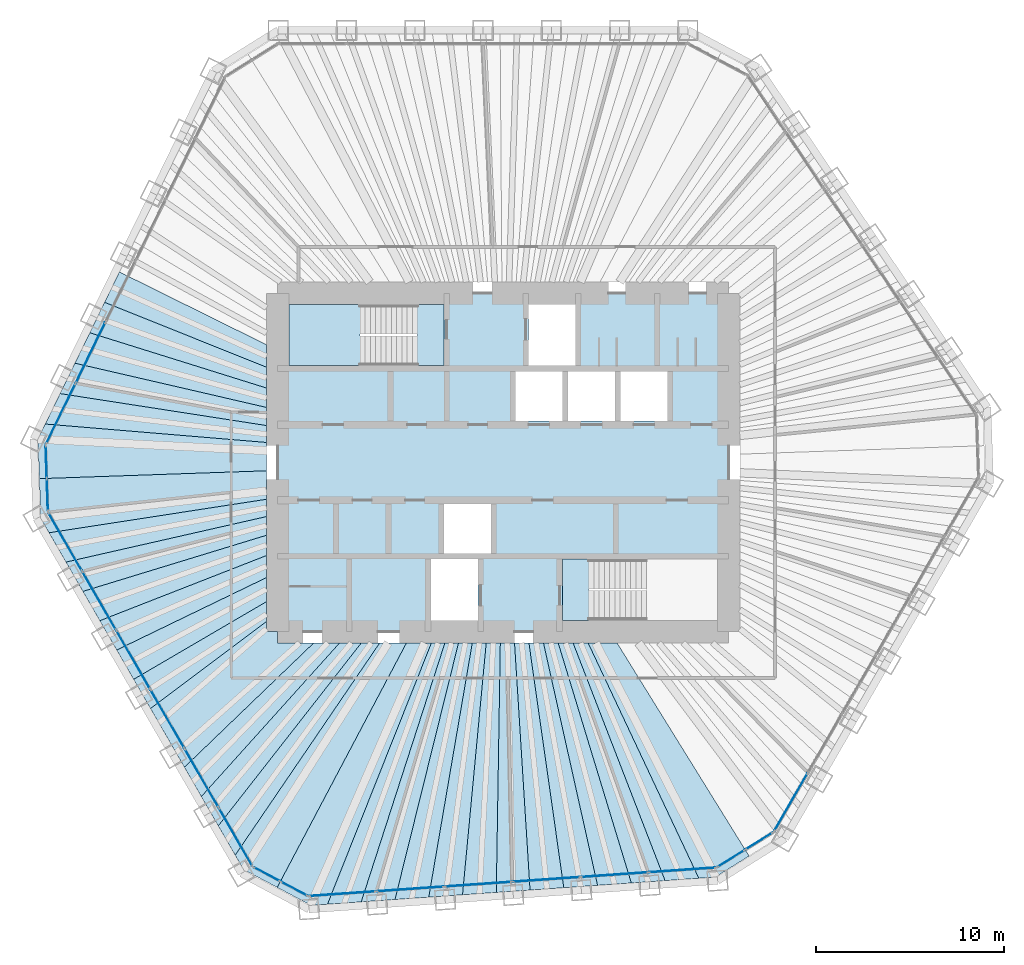
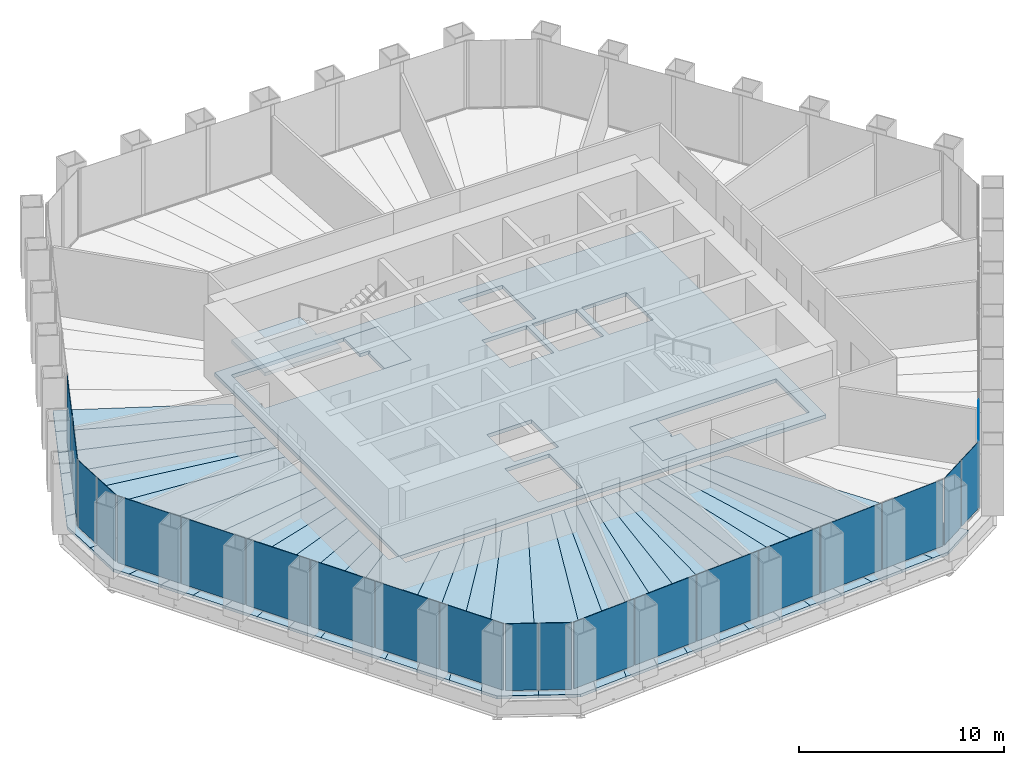
# One storey, part 8 of 13: 35 slabs, 21 plates, 9 elements without a shape of their own.
"""IFC4 building model written with IfcOpenShell, lengths in metres."""

from ifc_helpers import new_model, si_unit, direction, frame, origin, origin_2d, place, context, subcontext, project, spatial, polyline, rectangle, outline, extrude, material, layer, layer_set, type_object, element, aggregate, save


model = new_model("IFC4")

# Units and contexts
model_context = context("Model", 3, precision=1e-05, world=origin(), true_north=direction((0.0, 1.0)))
body_context = subcontext(model_context, "Body", "Model", "MODEL_VIEW")
ifc_project = project(units=[si_unit("LENGTHUNIT", "METRE"), si_unit("AREAUNIT", "SQUARE_METRE"), si_unit("VOLUMEUNIT", "CUBIC_METRE"), si_unit("PLANEANGLEUNIT", "RADIAN"), si_unit("MASSUNIT", "GRAM", prefix="KILO")], contexts=[model_context])

# Site, building, storey
site_placement = place(None, origin())
site = spatial("IfcSite", under=ifc_project, at=site_placement, CompositionType="ELEMENT")
building_placement = place(site_placement, origin())
building = spatial("IfcBuilding", under=site, at=building_placement, Name="Qingtian Harvest Tower", CompositionType="ELEMENT")
storey_placement = place(building_placement, frame((0.0, 0.0, 214.0)))
storey = spatial("IfcBuildingStorey", under=building, at=storey_placement, Name="L46", CompositionType="ELEMENT", Elevation=214.0)

# Slabs
ifc_material_1 = material(Name="Concrete fc' 35 MPa", Category="concrete")
ifc_layer_1 = layer(ifc_material_1, 0.169921875)
ifc_layer_set_1 = layer_set([ifc_layer_1], Name="Composite floor slab FS17 170")
slab_type_1 = type_object("IfcSlabType", Name="Composite floor slab FS17 170", PredefinedType="FLOOR", material=ifc_layer_set_1)
slab_1_placement = place(storey_placement, frame((0.0, 0.0, -0.169921875)))
element("IfcSlab", 1, at=slab_1_placement, inside=storey, type_object=slab_type_1, Name="Floor slab L46 panel D01", PredefinedType="FLOOR", context=body_context, shape_type="SweptSolid", body=[
    extrude(outline(polyline([(-24.6865234375, -0.862060546875), (-12.60009765625, -0.443115234375), (-12.60009765625, -1.958984375), (-24.17236328125, -3.742431640625), (-24.612548828125, -2.979736328125), (-24.6865234375, -0.862060546875)])), origin(), (0.0, 0.0, 1.0), 0.169921875),
])
slab_2_placement = place(storey_placement, frame((0.0, 0.0, -0.169921875)))
element("IfcSlab", 2, at=slab_2_placement, inside=storey, type_object=slab_type_1, Name="Floor slab L46 panel D02", PredefinedType="FLOOR", context=body_context, shape_type="SweptSolid", body=[
    extrude(outline(polyline([(-12.60009765625, -2.880126953125), (-23.271484375, -5.302490234375), (-24.17236328125, -3.742431640625), (-12.60009765625, -1.958984375), (-12.60009765625, -2.880126953125)])), origin(), (0.0, 0.0, 1.0), 0.169921875),
])
slab_3_placement = place(storey_placement, frame((0.0, 0.0, -0.169921875)))
element("IfcSlab", 3, at=slab_3_placement, inside=storey, type_object=slab_type_1, Name="Floor slab L46 panel D03", PredefinedType="FLOOR", context=body_context, shape_type="SweptSolid", body=[
    extrude(outline(polyline([(-12.60009765625, -3.87548828125), (-22.370849609375, -6.862548828125), (-23.271484375, -5.302490234375), (-12.60009765625, -2.880126953125), (-12.60009765625, -3.87548828125)])), origin(), (0.0, 0.0, 1.0), 0.169921875),
])
slab_4_placement = place(storey_placement, frame((0.0, 0.0, -0.169921875)))
element("IfcSlab", 4, at=slab_4_placement, inside=storey, type_object=slab_type_1, Name="Floor slab L46 panel D04", PredefinedType="FLOOR", context=body_context, shape_type="SweptSolid", body=[
    extrude(outline(polyline([(-12.60009765625, -4.95458984375), (-21.47021484375, -8.422607421875), (-22.370849609375, -6.862548828125), (-12.60009765625, -3.87548828125), (-12.60009765625, -4.95458984375)])), origin(), (0.0, 0.0, 1.0), 0.169921875),
])
slab_5_placement = place(storey_placement, frame((0.0, 0.0, -0.169921875)))
element("IfcSlab", 5, at=slab_5_placement, inside=storey, type_object=slab_type_1, Name="Floor slab L46 panel D05", PredefinedType="FLOOR", context=body_context, shape_type="SweptSolid", body=[
    extrude(outline(polyline([(-12.60009765625, -6.128173828125), (-20.569580078125, -9.982666015625), (-21.47021484375, -8.422607421875), (-12.60009765625, -4.95458984375), (-12.60009765625, -6.128173828125)])), origin(), (0.0, 0.0, 1.0), 0.169921875),
])
slab_6_placement = place(storey_placement, frame((0.0, 0.0, -0.169921875)))
element("IfcSlab", 6, at=slab_6_placement, inside=storey, type_object=slab_type_1, Name="Floor slab L46 panel D06", PredefinedType="FLOOR", context=body_context, shape_type="SweptSolid", body=[
    extrude(outline(polyline([(-12.60009765625, -7.409423828125), (-19.668701171875, -11.542724609375), (-20.569580078125, -9.982666015625), (-12.60009765625, -6.128173828125), (-12.60009765625, -7.409423828125)])), origin(), (0.0, 0.0, 1.0), 0.169921875),
])
slab_7_placement = place(storey_placement, frame((0.0, 0.0, -0.169921875)))
element("IfcSlab", 7, at=slab_7_placement, inside=storey, type_object=slab_type_1, Name="Floor slab L46 panel D07", PredefinedType="FLOOR", context=body_context, shape_type="SweptSolid", body=[
    extrude(outline(polyline([(-12.60009765625, -8.46435546875), (-18.771728515625, -13.0966796875), (-19.668701171875, -11.542724609375), (-12.60009765625, -7.409423828125), (-12.60009765625, -8.46435546875)])), origin(), (0.0, 0.0, 1.0), 0.169921875),
])
slab_8_placement = place(storey_placement, frame((0.0, 0.0, -0.169921875)))
element("IfcSlab", 8, at=slab_8_placement, inside=storey, type_object=slab_type_1, Name="Floor slab L46 panel D09", PredefinedType="FLOOR", context=body_context, shape_type="SweptSolid", body=[
    extrude(outline(polyline([(-16.967041015625, -16.22216796875), (-18.771728515625, -13.0966796875), (-12.60009765625, -8.46435546875), (-12.60009765625, -9.0), (-12.0, -9.0), (-12.0, -9.60009765625), (-10.07666015625, -9.60009765625), (-16.967041015625, -16.22216796875)])), origin(), (0.0, 0.0, 1.0), 0.169921875),
])
slab_9_placement = place(storey_placement, frame((0.0, 0.0, -0.169921875)))
element("IfcSlab", 9, at=slab_9_placement, inside=storey, type_object=slab_type_1, Name="Floor slab L46 panel D10", PredefinedType="FLOOR", context=body_context, shape_type="SweptSolid", body=[
    extrude(outline(polyline([(-8.700927734375, -9.60009765625), (-16.06640625, -17.7822265625), (-16.967041015625, -16.22216796875), (-10.07666015625, -9.60009765625), (-8.700927734375, -9.60009765625)])), origin(), (0.0, 0.0, 1.0), 0.169921875),
])
slab_10_placement = place(storey_placement, frame((0.0, 0.0, -0.169921875)))
element("IfcSlab", 10, at=slab_10_placement, inside=storey, type_object=slab_type_1, Name="Floor slab L46 panel D11", PredefinedType="FLOOR", context=body_context, shape_type="SweptSolid", body=[
    extrude(outline(polyline([(-7.548095703125, -9.60009765625), (-15.16552734375, -19.34228515625), (-16.06640625, -17.7822265625), (-8.700927734375, -9.60009765625), (-7.548095703125, -9.60009765625)])), origin(), (0.0, 0.0, 1.0), 0.169921875),
])
slab_11_placement = place(storey_placement, frame((0.0, 0.0, -0.169921875)))
element("IfcSlab", 11, at=slab_11_placement, inside=storey, type_object=slab_type_1, Name="Floor slab L46 panel D12", PredefinedType="FLOOR", context=body_context, shape_type="SweptSolid", body=[
    extrude(outline(polyline([(-6.568359375, -9.60009765625), (-14.264892578125, -20.90234375), (-15.16552734375, -19.34228515625), (-7.548095703125, -9.60009765625), (-6.568359375, -9.60009765625)])), origin(), (0.0, 0.0, 1.0), 0.169921875),
])
slab_12_placement = place(storey_placement, frame((0.0, 0.0, -0.169921875)))
element("IfcSlab", 12, at=slab_12_placement, inside=storey, type_object=slab_type_1, Name="Floor slab L46 panel D13", PredefinedType="FLOOR", context=body_context, shape_type="SweptSolid", body=[
    extrude(outline(polyline([(-6.568359375, -9.60009765625), (-5.14501953125, -9.60009765625), (-12.028076171875, -22.620361328125), (-13.82470703125, -21.6650390625), (-14.264892578125, -20.90234375), (-6.568359375, -9.60009765625)])), origin(), (0.0, 0.0, 1.0), 0.169921875),
])
slab_13_placement = place(storey_placement, frame((0.0, 0.0, -0.169921875)))
element("IfcSlab", 13, at=slab_13_placement, inside=storey, type_object=slab_type_1, Name="Floor slab L46 panel D14", PredefinedType="FLOOR", context=body_context, shape_type="SweptSolid", body=[
    extrude(outline(polyline([(-5.14501953125, -9.60009765625), (-3.817138671875, -9.60009765625), (-9.352294921875, -23.5146484375), (-10.23046875, -23.576171875), (-12.028076171875, -22.620361328125), (-5.14501953125, -9.60009765625)])), origin(), (0.0, 0.0, 1.0), 0.169921875),
])
slab_14_placement = place(storey_placement, frame((0.0, 0.0, -0.169921875)))
element("IfcSlab", 14, at=slab_14_placement, inside=storey, type_object=slab_type_1, Name="Floor slab L46 panel D15", PredefinedType="FLOOR", context=body_context, shape_type="SweptSolid", body=[
    extrude(outline(polyline([(-3.10009765625, -9.60009765625), (-7.55517578125, -23.388916015625), (-9.352294921875, -23.5146484375), (-3.817138671875, -9.60009765625), (-3.10009765625, -9.60009765625)])), origin(), (0.0, 0.0, 1.0), 0.169921875),
])
slab_15_placement = place(storey_placement, frame((0.0, 0.0, -0.169921875)))
element("IfcSlab", 15, at=slab_15_placement, inside=storey, type_object=slab_type_1, Name="Floor slab L46 panel D16", PredefinedType="FLOOR", context=body_context, shape_type="SweptSolid", body=[
    extrude(outline(polyline([(-2.375244140625, -9.60009765625), (-5.75830078125, -23.263427734375), (-7.55517578125, -23.388916015625), (-3.10009765625, -9.60009765625), (-2.375244140625, -9.60009765625)])), origin(), (0.0, 0.0, 1.0), 0.169921875),
])
slab_16_placement = place(storey_placement, frame((0.0, 0.0, -0.169921875)))
element("IfcSlab", 16, at=slab_16_placement, inside=storey, type_object=slab_type_1, Name="Floor slab L46 panel D17", PredefinedType="FLOOR", context=body_context, shape_type="SweptSolid", body=[
    extrude(outline(polyline([(-1.642578125, -9.60009765625), (-3.96142578125, -23.1376953125), (-5.75830078125, -23.263427734375), (-2.375244140625, -9.60009765625), (-1.642578125, -9.60009765625)])), origin(), (0.0, 0.0, 1.0), 0.169921875),
])
slab_17_placement = place(storey_placement, frame((0.0, 0.0, -0.169921875)))
element("IfcSlab", 17, at=slab_17_placement, inside=storey, type_object=slab_type_1, Name="Floor slab L46 panel D18", PredefinedType="FLOOR", context=body_context, shape_type="SweptSolid", body=[
    extrude(outline(polyline([(-0.90185546875, -9.60009765625), (-2.164306640625, -23.011962890625), (-3.96142578125, -23.1376953125), (-1.642578125, -9.60009765625), (-0.90185546875, -9.60009765625)])), origin(), (0.0, 0.0, 1.0), 0.169921875),
])
slab_18_placement = place(storey_placement, frame((0.0, 0.0, -0.169921875)))
element("IfcSlab", 18, at=slab_18_placement, inside=storey, type_object=slab_type_1, Name="Floor slab L46 panel D19", PredefinedType="FLOOR", context=body_context, shape_type="SweptSolid", body=[
    extrude(outline(polyline([(-0.153076171875, -9.60009765625), (-0.367431640625, -22.886474609375), (-2.164306640625, -23.011962890625), (-0.90185546875, -9.60009765625), (-0.153076171875, -9.60009765625)])), origin(), (0.0, 0.0, 1.0), 0.169921875),
])
slab_19_placement = place(storey_placement, frame((0.0, 0.0, -0.169921875)))
element("IfcSlab", 19, at=slab_19_placement, inside=storey, type_object=slab_type_1, Name="Floor slab L46 panel D20", PredefinedType="FLOOR", context=body_context, shape_type="SweptSolid", body=[
    extrude(outline(polyline([(0.60400390625, -9.60009765625), (1.4296875, -22.7607421875), (-0.367431640625, -22.886474609375), (-0.153076171875, -9.60009765625), (0.60400390625, -9.60009765625)])), origin(), (0.0, 0.0, 1.0), 0.169921875),
])
slab_20_placement = place(storey_placement, frame((0.0, 0.0, -0.169921875)))
element("IfcSlab", 20, at=slab_20_placement, inside=storey, type_object=slab_type_1, Name="Floor slab L46 panel D21", PredefinedType="FLOOR", context=body_context, shape_type="SweptSolid", body=[
    extrude(outline(polyline([(1.36962890625, -9.60009765625), (3.2265625, -22.635009765625), (1.4296875, -22.7607421875), (0.60400390625, -9.60009765625), (1.36962890625, -9.60009765625)])), origin(), (0.0, 0.0, 1.0), 0.169921875),
])
slab_21_placement = place(storey_placement, frame((0.0, 0.0, -0.169921875)))
element("IfcSlab", 21, at=slab_21_placement, inside=storey, type_object=slab_type_1, Name="Floor slab L46 panel D22", PredefinedType="FLOOR", context=body_context, shape_type="SweptSolid", body=[
    extrude(outline(polyline([(2.1435546875, -9.60009765625), (5.023681640625, -22.509521484375), (3.2265625, -22.635009765625), (1.36962890625, -9.60009765625), (2.1435546875, -9.60009765625)])), origin(), (0.0, 0.0, 1.0), 0.169921875),
])
slab_22_placement = place(storey_placement, frame((0.0, 0.0, -0.169921875)))
element("IfcSlab", 22, at=slab_22_placement, inside=storey, type_object=slab_type_1, Name="Floor slab L46 panel D23", PredefinedType="FLOOR", context=body_context, shape_type="SweptSolid", body=[
    extrude(outline(polyline([(2.92626953125, -9.60009765625), (6.820556640625, -22.3837890625), (5.023681640625, -22.509521484375), (2.1435546875, -9.60009765625), (2.92626953125, -9.60009765625)])), origin(), (0.0, 0.0, 1.0), 0.169921875),
])
slab_23_placement = place(storey_placement, frame((0.0, 0.0, -0.169921875)))
element("IfcSlab", 23, at=slab_23_placement, inside=storey, type_object=slab_type_1, Name="Floor slab L46 panel D24", PredefinedType="FLOOR", context=body_context, shape_type="SweptSolid", body=[
    extrude(outline(polyline([(3.718017578125, -9.60009765625), (8.61767578125, -22.258056640625), (6.820556640625, -22.3837890625), (2.92626953125, -9.60009765625), (3.718017578125, -9.60009765625)])), origin(), (0.0, 0.0, 1.0), 0.169921875),
])
slab_24_placement = place(storey_placement, frame((0.0, 0.0, -0.169921875)))
element("IfcSlab", 24, at=slab_24_placement, inside=storey, type_object=slab_type_1, Name="Floor slab L46 panel D25", PredefinedType="FLOOR", context=body_context, shape_type="SweptSolid", body=[
    extrude(outline(polyline([(4.5185546875, -9.60009765625), (10.41455078125, -22.13232421875), (8.61767578125, -22.258056640625), (3.718017578125, -9.60009765625), (4.5185546875, -9.60009765625)])), origin(), (0.0, 0.0, 1.0), 0.169921875),
])
slab_25_placement = place(storey_placement, frame((0.0, 0.0, -0.169921875)))
element("IfcSlab", 25, at=slab_25_placement, inside=storey, type_object=slab_type_1, Name="Floor slab L46 panel D26", PredefinedType="FLOOR", context=body_context, shape_type="SweptSolid", body=[
    extrude(outline(polyline([(4.5185546875, -9.60009765625), (6.059326171875, -9.60009765625), (13.090576171875, -20.94775390625), (11.292724609375, -22.071044921875), (10.41455078125, -22.13232421875), (4.5185546875, -9.60009765625)])), origin(), (0.0, 0.0, 1.0), 0.169921875),
])
slab_26_placement = place(storey_placement, frame((0.0, 0.0, -0.169921875)))
element("IfcSlab", 26, at=slab_26_placement, inside=storey, type_object=slab_type_1, Name="Floor slab L46 panel D73", PredefinedType="FLOOR", context=body_context, shape_type="SweptSolid", body=[
    extrude(outline(polyline([(-12.60009765625, 5.072509765625), (-21.2158203125, 8.5234375), (-20.426025390625, 10.142578125), (-12.60009765625, 6.268310546875), (-12.60009765625, 5.072509765625)])), origin(), (0.0, 0.0, 1.0), 0.169921875),
])
slab_27_placement = place(storey_placement, frame((0.0, 0.0, -0.169921875)))
element("IfcSlab", 27, at=slab_27_placement, inside=storey, type_object=slab_type_1, Name="Floor slab L46 panel D74", PredefinedType="FLOOR", context=body_context, shape_type="SweptSolid", body=[
    extrude(outline(polyline([(-12.60009765625, 3.962890625), (-22.00537109375, 6.904296875), (-21.2158203125, 8.5234375), (-12.60009765625, 5.072509765625), (-12.60009765625, 3.962890625)])), origin(), (0.0, 0.0, 1.0), 0.169921875),
])
slab_28_placement = place(storey_placement, frame((0.0, 0.0, -0.169921875)))
element("IfcSlab", 28, at=slab_28_placement, inside=storey, type_object=slab_type_1, Name="Floor slab L46 panel D75", PredefinedType="FLOOR", context=body_context, shape_type="SweptSolid", body=[
    extrude(outline(polyline([(-12.60009765625, 2.929931640625), (-22.795166015625, 5.28515625), (-22.00537109375, 6.904296875), (-12.60009765625, 3.962890625), (-12.60009765625, 2.929931640625)])), origin(), (0.0, 0.0, 1.0), 0.169921875),
])
slab_29_placement = place(storey_placement, frame((0.0, 0.0, -0.169921875)))
element("IfcSlab", 29, at=slab_29_placement, inside=storey, type_object=slab_type_1, Name="Floor slab L46 panel D76", PredefinedType="FLOOR", context=body_context, shape_type="SweptSolid", body=[
    extrude(outline(polyline([(-12.60009765625, 1.96630859375), (-23.584716796875, 3.666259765625), (-22.795166015625, 5.28515625), (-12.60009765625, 2.929931640625), (-12.60009765625, 1.96630859375)])), origin(), (0.0, 0.0, 1.0), 0.169921875),
])
slab_30_placement = place(storey_placement, frame((0.0, 0.0, -0.169921875)))
element("IfcSlab", 30, at=slab_30_placement, inside=storey, type_object=slab_type_1, Name="Floor slab L46 panel D77", PredefinedType="FLOOR", context=body_context, shape_type="SweptSolid", body=[
    extrude(outline(polyline([(-12.60009765625, 1.065185546875), (-24.37451171875, 2.047119140625), (-23.584716796875, 3.666259765625), (-12.60009765625, 1.96630859375), (-12.60009765625, 1.065185546875)])), origin(), (0.0, 0.0, 1.0), 0.169921875),
])
slab_31_placement = place(storey_placement, frame((0.0, 0.0, -0.169921875)))
element("IfcSlab", 31, at=slab_31_placement, inside=storey, type_object=slab_type_1, Name="Floor slab L46 panel D78", PredefinedType="FLOOR", context=body_context, shape_type="SweptSolid", body=[
    extrude(outline(polyline([(-12.60009765625, 1.065185546875), (-12.60009765625, -0.443115234375), (-24.6865234375, -0.862060546875), (-24.760498046875, 1.255615234375), (-24.37451171875, 2.047119140625), (-12.60009765625, 1.065185546875)])), origin(), (0.0, 0.0, 1.0), 0.169921875),
])
ifc_material_2 = material(Name="Concrete fc' 35 MPa", Category="concrete")
ifc_layer_2 = layer(ifc_material_2, 0.219970703125)
ifc_layer_set_2 = layer_set([ifc_layer_2], Name="Core floor slab CS22 220")
slab_type_2 = type_object("IfcSlabType", Name="Core floor slab CS22 220", PredefinedType="FLOOR", material=ifc_layer_set_2)
slab_32_placement = place(storey_placement, frame((0.0, 0.0, -0.219970703125)))
element("IfcSlab", 32, at=slab_32_placement, inside=storey, type_object=slab_type_2, Name="Core floor slab L46", PredefinedType="FLOOR", context=body_context, shape_type="SweptSolid", body=[
    extrude(outline(polyline([(-12.0, -9.0), (12.0, -9.0), (12.0, 9.0), (-12.0, 9.0), (-12.0, -9.0)]), holes=[polyline([(-11.39990234375, 5.14990234375), (-3.14990234375, 5.14990234375), (-3.14990234375, 8.39990234375), (-11.39990234375, 8.39990234375), (-11.39990234375, 5.14990234375)]), polyline([(3.14990234375, -8.39990234375), (11.39990234375, -8.39990234375), (11.39990234375, -5.14990234375), (3.14990234375, -5.14990234375), (3.14990234375, -8.39990234375)]), polyline([(1.35009765625, 5.14990234375), (3.85009765625, 5.14990234375), (3.85009765625, 8.39990234375), (1.35009765625, 8.39990234375), (1.35009765625, 5.14990234375)]), polyline([(-3.85009765625, -8.39990234375), (-1.35009765625, -8.39990234375), (-1.35009765625, -5.14990234375), (-3.85009765625, -5.14990234375), (-3.85009765625, -8.39990234375)]), polyline([(0.64990234375, 2.199951171875), (3.14990234375, 2.199951171875), (3.14990234375, 4.85009765625), (0.64990234375, 4.85009765625), (0.64990234375, 2.199951171875)]), polyline([(3.449951171875, 2.199951171875), (5.949951171875, 2.199951171875), (5.949951171875, 4.85009765625), (3.449951171875, 4.85009765625), (3.449951171875, 2.199951171875)]), polyline([(6.25, 2.199951171875), (8.75, 2.199951171875), (8.75, 4.85009765625), (6.25, 4.85009765625), (6.25, 2.199951171875)]), polyline([(-3.14990234375, -4.85009765625), (-0.64990234375, -4.85009765625), (-0.64990234375, -2.199951171875), (-3.14990234375, -2.199951171875), (-3.14990234375, -4.85009765625)])]), origin(), (0.0, 0.0, 1.0), 0.219970703125),
])

# Curtain wall, plate
ifc_material_3 = material(Name="Bronze-anodised aluminium curtain wall", Category="aluminium")
curtain_wall_type = type_object("IfcCurtainWallType", Name="Curtain wall CW4 office", PredefinedType="USERDEFINED", material=ifc_material_3)
curtain_wall_1_placement = place(storey_placement, origin())
curtain_wall_1 = element("IfcCurtainWall", 33, at=curtain_wall_1_placement, inside=storey, type_object=curtain_wall_type, Name="Curtain wall CW4 L46 SE0-5", ObjectType="RECESSED CURTAIN WALL", PredefinedType="USERDEFINED")
ifc_material_4 = material(Name="Bronze-tinted laminated insulating glass", Category="glass")
ifc_layer_3 = layer(ifc_material_4, 0.030029296875)
ifc_layer_set_3 = layer_set([ifc_layer_3], Name="Glazed panel CWP tinted IGU")
plate_type = type_object("IfcPlateType", Name="Glazed panel CWP tinted IGU", PredefinedType="CURTAIN_PANEL", material=ifc_layer_set_3)
plate_1_placement = place(storey_placement, frame((15.314208984375, -18.074951171875, 0.06494140625), z_axis=(0.0, 0.0, 1.0), x_axis=(-0.5, -0.866025403784, 0.0)))
plate_1 = element("IfcPlate", 34, at=plate_1_placement, type_object=plate_type, Name="CW4 panel 6.1", PredefinedType="CURTAIN_PANEL", context=body_context, shape_type="SweptSolid", body=[
    extrude(rectangle(XDim=3.5361328125, YDim=0.030029296875, at=origin_2d()), origin(), (0.0, 0.0, 1.0), 3.965087890625),
])
aggregate(curtain_wall_1, [plate_1])

# Curtain wall, plates
curtain_wall_2_placement = place(storey_placement, origin())
curtain_wall_2 = element("IfcCurtainWall", 35, at=curtain_wall_2_placement, inside=storey, type_object=curtain_wall_type, Name="Curtain wall CW4 L46 SEC", ObjectType="RECESSED CURTAIN WALL", PredefinedType="USERDEFINED")
plate_2_placement = place(storey_placement, frame((13.624755859375, -20.1455078125, 0.06494140625), z_axis=(0.0, 0.0, 1.0), x_axis=(-0.848048096156, -0.529919264233, 0.0)))
plate_2 = element("IfcPlate", 36, at=plate_2_placement, type_object=plate_type, Name="CW4 panel 1.1", PredefinedType="CURTAIN_PANEL", context=body_context, shape_type="SweptSolid", body=[
    extrude(rectangle(XDim=1.69287109375, YDim=0.030029296875, at=origin_2d()), origin(), (0.0, 0.0, 1.0), 3.965087890625),
])
plate_3_placement = place(storey_placement, frame((12.134033203125, -21.076904296875, 0.06494140625), z_axis=(0.0, 0.0, 1.0), x_axis=(-0.848048096156, -0.529919264233, 0.0)))
plate_3 = element("IfcPlate", 37, at=plate_3_placement, type_object=plate_type, Name="CW4 panel 2.1", PredefinedType="CURTAIN_PANEL", context=body_context, shape_type="SweptSolid", body=[
    extrude(rectangle(XDim=1.69287109375, YDim=0.030029296875, at=origin_2d()), origin(), (0.0, 0.0, 1.0), 3.965087890625),
])
aggregate(curtain_wall_2, [plate_2, plate_3])

curtain_wall_3_placement = place(storey_placement, origin())
curtain_wall_3 = element("IfcCurtainWall", 38, at=curtain_wall_3_placement, inside=storey, type_object=curtain_wall_type, Name="Curtain wall CW4 L46 S0-5", ObjectType="RECESSED CURTAIN WALL", PredefinedType="USERDEFINED")
plate_4_placement = place(storey_placement, frame((9.532470703125, -21.68798828125, 0.06494140625), z_axis=(0.0, 0.0, 1.0), x_axis=(-0.99756405026, -0.069756473744, 0.0)))
plate_4 = element("IfcPlate", 39, at=plate_4_placement, type_object=plate_type, Name="CW4 panel 1.1", PredefinedType="CURTAIN_PANEL", context=body_context, shape_type="SweptSolid", body=[
    extrude(rectangle(XDim=3.5361328125, YDim=0.030029296875, at=origin_2d()), origin(), (0.0, 0.0, 1.0), 3.965087890625),
])
plate_5_placement = place(storey_placement, frame((5.923828125, -21.940185546875, 0.06494140625), z_axis=(0.0, 0.0, 1.0), x_axis=(-0.99756405026, -0.069756473744, 0.0)))
plate_5 = element("IfcPlate", 40, at=plate_5_placement, type_object=plate_type, Name="CW4 panel 2.1", PredefinedType="CURTAIN_PANEL", context=body_context, shape_type="SweptSolid", body=[
    extrude(rectangle(XDim=3.568603515625, YDim=0.030029296875, at=origin_2d()), origin(), (0.0, 0.0, 1.0), 3.965087890625),
])
plate_6_placement = place(storey_placement, frame((2.299072265625, -22.193603515625, 0.06494140625), z_axis=(0.0, 0.0, 1.0), x_axis=(-0.99756405026, -0.069756473744, 0.0)))
plate_6 = element("IfcPlate", 41, at=plate_6_placement, type_object=plate_type, Name="CW4 panel 3.1", PredefinedType="CURTAIN_PANEL", context=body_context, shape_type="SweptSolid", body=[
    extrude(rectangle(XDim=3.568603515625, YDim=0.030029296875, at=origin_2d()), origin(), (0.0, 0.0, 1.0), 3.965087890625),
])
plate_7_placement = place(storey_placement, frame((-1.325439453125, -22.447021484375, 0.06494140625), z_axis=(0.0, 0.0, 1.0), x_axis=(-0.99756405026, -0.069756473744, 0.0)))
plate_7 = element("IfcPlate", 42, at=plate_7_placement, type_object=plate_type, Name="CW4 panel 4.1", PredefinedType="CURTAIN_PANEL", context=body_context, shape_type="SweptSolid", body=[
    extrude(rectangle(XDim=3.568603515625, YDim=0.030029296875, at=origin_2d()), origin(), (0.0, 0.0, 1.0), 3.965087890625),
])
plate_8_placement = place(storey_placement, frame((-4.9501953125, -22.70068359375, 0.06494140625), z_axis=(0.0, 0.0, 1.0), x_axis=(-0.99756405026, -0.069756473744, 0.0)))
plate_8 = element("IfcPlate", 43, at=plate_8_placement, type_object=plate_type, Name="CW4 panel 5.1", PredefinedType="CURTAIN_PANEL", context=body_context, shape_type="SweptSolid", body=[
    extrude(rectangle(XDim=3.568603515625, YDim=0.030029296875, at=origin_2d()), origin(), (0.0, 0.0, 1.0), 3.965087890625),
])
plate_9_placement = place(storey_placement, frame((-8.55859375, -22.952880859375, 0.06494140625), z_axis=(0.0, 0.0, 1.0), x_axis=(-0.99756405026, -0.069756473744, 0.0)))
plate_9 = element("IfcPlate", 44, at=plate_9_placement, type_object=plate_type, Name="CW4 panel 6.1", PredefinedType="CURTAIN_PANEL", context=body_context, shape_type="SweptSolid", body=[
    extrude(rectangle(XDim=3.5361328125, YDim=0.030029296875, at=origin_2d()), origin(), (0.0, 0.0, 1.0), 3.965087890625),
])
aggregate(curtain_wall_3, [plate_4, plate_5, plate_6, plate_7, plate_8, plate_9])

curtain_wall_4_placement = place(storey_placement, origin())
curtain_wall_4 = element("IfcCurtainWall", 45, at=curtain_wall_4_placement, inside=storey, type_object=curtain_wall_type, Name="Curtain wall CW4 L46 SC", ObjectType="RECESSED CURTAIN WALL", PredefinedType="USERDEFINED")
plate_10_placement = place(storey_placement, frame((-11.136474609375, -22.682373046875, 0.06494140625), z_axis=(0.0, 0.0, 1.0), x_axis=(-0.882947592859, 0.469471562786, 0.0)))
plate_10 = element("IfcPlate", 46, at=plate_10_placement, type_object=plate_type, Name="CW4 panel 1.1", PredefinedType="CURTAIN_PANEL", context=body_context, shape_type="SweptSolid", body=[
    extrude(rectangle(XDim=1.56689453125, YDim=0.030029296875, at=origin_2d()), origin(), (0.0, 0.0, 1.0), 3.965087890625),
])
plate_11_placement = place(storey_placement, frame((-12.5771484375, -21.916259765625, 0.06494140625), z_axis=(0.0, 0.0, 1.0), x_axis=(-0.882947592859, 0.469471562786, 0.0)))
plate_11 = element("IfcPlate", 47, at=plate_11_placement, type_object=plate_type, Name="CW4 panel 2.1", PredefinedType="CURTAIN_PANEL", context=body_context, shape_type="SweptSolid", body=[
    extrude(rectangle(XDim=1.56689453125, YDim=0.030029296875, at=origin_2d()), origin(), (0.0, 0.0, 1.0), 3.965087890625),
])
aggregate(curtain_wall_4, [plate_10, plate_11])

curtain_wall_5_placement = place(storey_placement, origin())
curtain_wall_5 = element("IfcCurtainWall", 48, at=curtain_wall_5_placement, inside=storey, type_object=curtain_wall_type, Name="Curtain wall CW4 L46 SW0-5", ObjectType="RECESSED CURTAIN WALL", PredefinedType="USERDEFINED")
plate_12_placement = place(storey_placement, frame((-14.242919921875, -19.9306640625, 0.06494140625), z_axis=(0.0, 0.0, 1.0), x_axis=(-0.5, 0.866025403784, 0.0)))
plate_12 = element("IfcPlate", 49, at=plate_12_placement, type_object=plate_type, Name="CW4 panel 1.1", PredefinedType="CURTAIN_PANEL", context=body_context, shape_type="SweptSolid", body=[
    extrude(rectangle(XDim=3.5361328125, YDim=0.030029296875, at=origin_2d()), origin(), (0.0, 0.0, 1.0), 3.965087890625),
])
plate_13_placement = place(storey_placement, frame((-16.051513671875, -16.7978515625, 0.06494140625), z_axis=(0.0, 0.0, 1.0), x_axis=(-0.5, 0.866025403784, 0.0)))
plate_13 = element("IfcPlate", 50, at=plate_13_placement, type_object=plate_type, Name="CW4 panel 2.1", PredefinedType="CURTAIN_PANEL", context=body_context, shape_type="SweptSolid", body=[
    extrude(rectangle(XDim=3.568603515625, YDim=0.030029296875, at=origin_2d()), origin(), (0.0, 0.0, 1.0), 3.965087890625),
])
plate_14_placement = place(storey_placement, frame((-17.868408203125, -13.651123046875, 0.06494140625), z_axis=(0.0, 0.0, 1.0), x_axis=(-0.5, 0.866025403784, 0.0)))
plate_14 = element("IfcPlate", 51, at=plate_14_placement, type_object=plate_type, Name="CW4 panel 3.1", PredefinedType="CURTAIN_PANEL", context=body_context, shape_type="SweptSolid", body=[
    extrude(rectangle(XDim=3.568603515625, YDim=0.030029296875, at=origin_2d()), origin(), (0.0, 0.0, 1.0), 3.965087890625),
])
plate_15_placement = place(storey_placement, frame((-19.68505859375, -10.50439453125, 0.06494140625), z_axis=(0.0, 0.0, 1.0), x_axis=(-0.5, 0.866025403784, 0.0)))
plate_15 = element("IfcPlate", 52, at=plate_15_placement, type_object=plate_type, Name="CW4 panel 4.1", PredefinedType="CURTAIN_PANEL", context=body_context, shape_type="SweptSolid", body=[
    extrude(rectangle(XDim=3.568603515625, YDim=0.030029296875, at=origin_2d()), origin(), (0.0, 0.0, 1.0), 3.965087890625),
])
plate_16_placement = place(storey_placement, frame((-21.501953125, -7.357666015625, 0.06494140625), z_axis=(0.0, 0.0, 1.0), x_axis=(-0.5, 0.866025403784, 0.0)))
plate_16 = element("IfcPlate", 53, at=plate_16_placement, type_object=plate_type, Name="CW4 panel 5.1", PredefinedType="CURTAIN_PANEL", context=body_context, shape_type="SweptSolid", body=[
    extrude(rectangle(XDim=3.568603515625, YDim=0.030029296875, at=origin_2d()), origin(), (0.0, 0.0, 1.0), 3.965087890625),
])
plate_17_placement = place(storey_placement, frame((-23.310546875, -4.22509765625, 0.06494140625), z_axis=(0.0, 0.0, 1.0), x_axis=(-0.5, 0.866025403784, 0.0)))
plate_17 = element("IfcPlate", 54, at=plate_17_placement, type_object=plate_type, Name="CW4 panel 6.1", PredefinedType="CURTAIN_PANEL", context=body_context, shape_type="SweptSolid", body=[
    extrude(rectangle(XDim=3.5361328125, YDim=0.030029296875, at=origin_2d()), origin(), (0.0, 0.0, 1.0), 3.965087890625),
])
aggregate(curtain_wall_5, [plate_12, plate_13, plate_14, plate_15, plate_16, plate_17])

curtain_wall_6_placement = place(storey_placement, origin())
curtain_wall_6 = element("IfcCurtainWall", 55, at=curtain_wall_6_placement, inside=storey, type_object=curtain_wall_type, Name="Curtain wall CW4 L46 SWC", ObjectType="RECESSED CURTAIN WALL", PredefinedType="USERDEFINED")
plate_18_placement = place(storey_placement, frame((-24.2587890625, -1.7265625, 0.06494140625), z_axis=(0.0, 0.0, 1.0), x_axis=(-0.034899496703, 0.999390827019, 0.0)))
plate_18 = element("IfcPlate", 56, at=plate_18_placement, type_object=plate_type, Name="CW4 panel 1.1", PredefinedType="CURTAIN_PANEL", context=body_context, shape_type="SweptSolid", body=[
    extrude(rectangle(XDim=1.69287109375, YDim=0.030029296875, at=origin_2d()), origin(), (0.0, 0.0, 1.0), 3.965087890625),
])
plate_19_placement = place(storey_placement, frame((-24.320068359375, 0.0302734375, 0.06494140625), z_axis=(0.0, 0.0, 1.0), x_axis=(-0.034899496703, 0.999390827019, 0.0)))
plate_19 = element("IfcPlate", 57, at=plate_19_placement, type_object=plate_type, Name="CW4 panel 2.1", PredefinedType="CURTAIN_PANEL", context=body_context, shape_type="SweptSolid", body=[
    extrude(rectangle(XDim=1.69287109375, YDim=0.030029296875, at=origin_2d()), origin(), (0.0, 0.0, 1.0), 3.965087890625),
])
aggregate(curtain_wall_6, [plate_18, plate_19])

curtain_wall_7_placement = place(storey_placement, origin())
curtain_wall_7 = element("IfcCurtainWall", 58, at=curtain_wall_7_placement, inside=storey, type_object=curtain_wall_type, Name="Curtain wall CW4 L46 NW0-5", ObjectType="RECESSED CURTAIN WALL", PredefinedType="USERDEFINED")
plate_20_placement = place(storey_placement, frame((-23.54833984375, 2.588623046875, 0.06494140625), z_axis=(0.0, 0.0, 1.0), x_axis=(0.438371146789, 0.898794046299, 0.0)))
plate_20 = element("IfcPlate", 59, at=plate_20_placement, type_object=plate_type, Name="CW4 panel 1.1", PredefinedType="CURTAIN_PANEL", context=body_context, shape_type="SweptSolid", body=[
    extrude(rectangle(XDim=3.5361328125, YDim=0.030029296875, at=origin_2d()), origin(), (0.0, 0.0, 1.0), 3.965087890625),
])
plate_21_placement = place(storey_placement, frame((-21.962646484375, 5.83984375, 0.06494140625), z_axis=(0.0, 0.0, 1.0), x_axis=(0.438371146789, 0.898794046299, 0.0)))
plate_21 = element("IfcPlate", 60, at=plate_21_placement, type_object=plate_type, Name="CW4 panel 2.1", PredefinedType="CURTAIN_PANEL", context=body_context, shape_type="SweptSolid", body=[
    extrude(rectangle(XDim=3.568603515625, YDim=0.030029296875, at=origin_2d()), origin(), (0.0, 0.0, 1.0), 3.965087890625),
])
aggregate(curtain_wall_7, [plate_20, plate_21])

# Stair, slabs
ifc_material_5 = material(Name="Concrete fc' 35 MPa", Category="concrete")
stair_type = type_object("IfcStairType", Name="Special stair ST4 4200", PredefinedType="HALF_TURN_STAIR", material=ifc_material_5)
stair_1_placement = place(storey_placement, origin())
stair_1 = element("IfcStair", 61, at=stair_1_placement, inside=storey, type_object=stair_type, Name="Special stair S1 L46", PredefinedType="HALF_TURN_STAIR")
ifc_material_6 = material(Name="Concrete fc' 35 MPa", Category="concrete")
ifc_layer_4 = layer(ifc_material_6, 0.199951171875)
ifc_layer_set_4 = layer_set([ifc_layer_4], Name="Stair landing SL2 200")
slab_type_3 = type_object("IfcSlabType", Name="Stair landing SL2 200", PredefinedType="LANDING", material=ifc_layer_set_4)
slab_33_placement = place(storey_placement, frame((0.0, 0.0, -0.199951171875)))
slab_33 = element("IfcSlab", 62, at=slab_33_placement, type_object=slab_type_3, Name="S1 landing 1", PredefinedType="LANDING", context=body_context, shape_type="SweptSolid", body=[
    extrude(outline(polyline([(-4.64990234375, 5.14990234375), (-4.64990234375, 6.72509765625), (-4.550048828125, 6.72509765625), (-4.550048828125, 6.824951171875), (-5.0849609375, 6.824951171875), (-5.0849609375, 8.39990234375), (-3.14990234375, 8.39990234375), (-3.14990234375, 5.14990234375), (-4.64990234375, 5.14990234375)])), origin(), (0.0, 0.0, 1.0), 0.199951171875),
])
slab_34_placement = place(storey_placement, frame((0.0, 0.0, 1.89990234375)))
slab_34 = element("IfcSlab", 63, at=slab_34_placement, type_object=slab_type_3, Name="S1 landing 2", PredefinedType="LANDING", context=body_context, shape_type="SweptSolid", body=[
    extrude(outline(polyline([(-7.094970703125, 5.14990234375), (-11.39990234375, 5.14990234375), (-11.39990234375, 8.39990234375), (-7.530029296875, 8.39990234375), (-7.530029296875, 6.824951171875), (-7.6298828125, 6.824951171875), (-7.6298828125, 6.72509765625), (-7.094970703125, 6.72509765625), (-7.094970703125, 5.14990234375)])), origin(), (0.0, 0.0, 1.0), 0.2001953125),
])
aggregate(stair_1, [slab_33, slab_34])

# Stair, slab
stair_2_placement = place(storey_placement, origin())
stair_2 = element("IfcStair", 64, at=stair_2_placement, inside=storey, type_object=stair_type, Name="Special stair S2 L46", PredefinedType="HALF_TURN_STAIR")
slab_35_placement = place(storey_placement, frame((0.0, 0.0, -0.199951171875)))
slab_35 = element("IfcSlab", 65, at=slab_35_placement, type_object=slab_type_3, Name="S2 landing 1", PredefinedType="LANDING", context=body_context, shape_type="SweptSolid", body=[
    extrude(outline(polyline([(5.0849609375, -8.39990234375), (3.14990234375, -8.39990234375), (3.14990234375, -5.14990234375), (4.64990234375, -5.14990234375), (4.64990234375, -6.72509765625), (4.550048828125, -6.72509765625), (4.550048828125, -6.824951171875), (5.0849609375, -6.824951171875), (5.0849609375, -8.39990234375)])), origin(), (0.0, 0.0, 1.0), 0.199951171875),
])
aggregate(stair_2, [slab_35])

save(model, "model.ifc")
